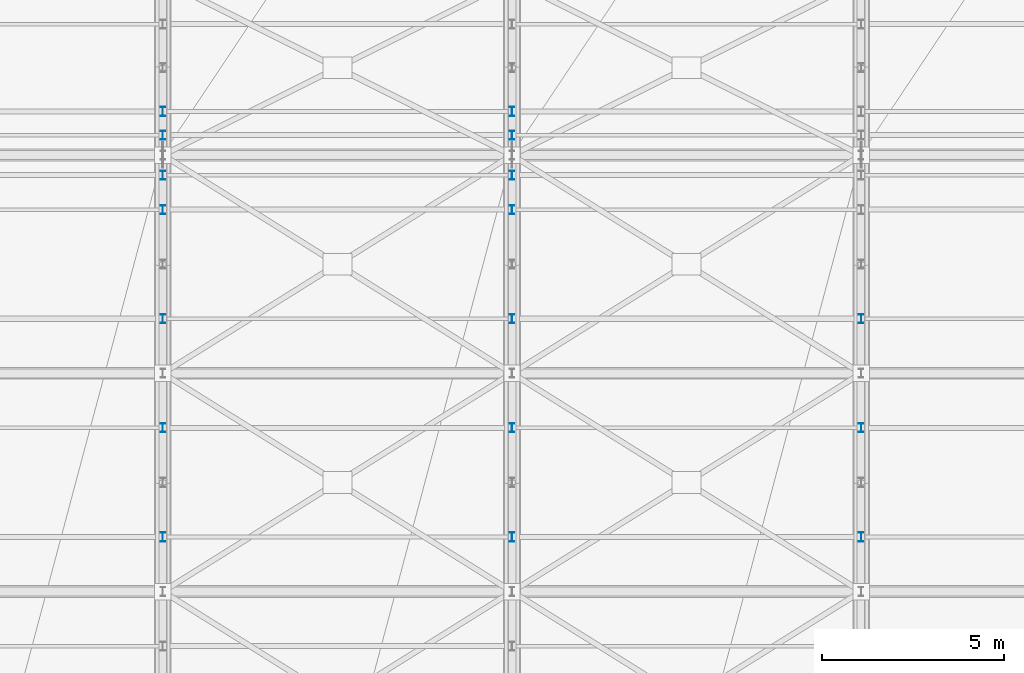
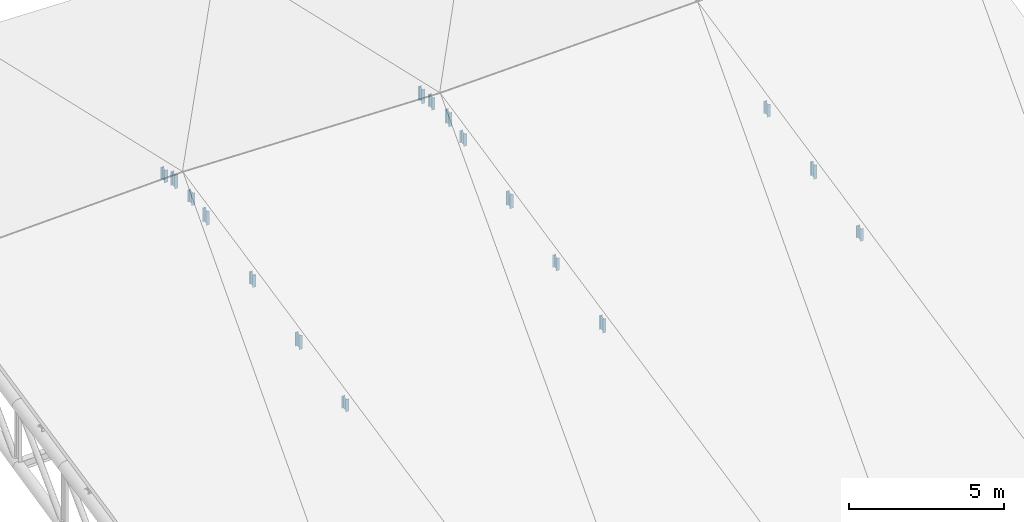
# One storey, part 89 of 109: 17 members.
"""IFC4 building model written with IfcOpenShell, lengths in metres."""

from ifc_helpers import new_model, si_unit, direction, frame, origin, origin_2d, place, context, subcontext, project, spatial, i_section, extrude, material, material_profile, profile_set, type_object, element, save


model = new_model("IFC4")

# Units and contexts
model_context = context("Model", 3, precision=1e-05, world=origin(), true_north=direction((0.0, 1.0)))
body_context = subcontext(model_context, "Body", "Model", "MODEL_VIEW")
ifc_project = project(units=[si_unit("LENGTHUNIT", "METRE"), si_unit("AREAUNIT", "SQUARE_METRE"), si_unit("VOLUMEUNIT", "CUBIC_METRE"), si_unit("PLANEANGLEUNIT", "RADIAN"), si_unit("MASSUNIT", "GRAM", prefix="KILO")], contexts=[model_context])

# Site, building, storey
site_placement = place(None, origin())
site = spatial("IfcSite", under=ifc_project, at=site_placement, CompositionType="ELEMENT")
building_placement = place(site_placement, origin())
building = spatial("IfcBuilding", under=site, at=building_placement, Name="Suirenkawa Promenade Aquatics Centre", CompositionType="ELEMENT")
storey_placement = place(building_placement, frame((0.0, 0.0, 22.800048828125)))
storey = spatial("IfcBuildingStorey", under=building, at=storey_placement, Name="ROOF", CompositionType="ELEMENT", Elevation=22.800048828125)

# Members
ifc_material = material(Name="Steel IS 2062 E350 (Grade 350)", Category="steel")
ifc_material_profile = material_profile(ifc_material, i_section(OverallWidth=0.125, OverallDepth=0.25, WebThickness=0.007080078125, FlangeThickness=0.012939453125, at=origin_2d()), Name="ISMB 250", Category="steel")
ifc_profile_set = profile_set([ifc_material_profile], Name="Steel IS 2062 E350 (Grade 350)")
member_type = type_object("IfcMemberType", Name="MT-WEB-CHS168", PredefinedType="BRACE", material=ifc_profile_set)
member_1_placement = place(storey_placement, frame((165.60009765625, 75.89990234375, -3.616943359375), z_axis=(0.0, 0.0, 1.0), x_axis=(1.0, 0.0, 0.0)))
element("IfcMember", 1, at=member_1_placement, inside=storey, type_object=member_type, Name="ROOF TRUSS Purlin cleat post TD-03 MB-2436", PredefinedType="BRACE", context=body_context, shape_type="SweptSolid", body=[
    extrude(i_section(OverallWidth=0.125, OverallDepth=0.25, WebThickness=0.007080078125, FlangeThickness=0.012939453125, at=origin_2d()), origin(), (0.0, 0.0, 1.0), 0.48681640625),
])
member_2_placement = place(storey_placement, frame((165.60009765625, 78.89990234375, -2.983154296875), z_axis=(0.0, 0.0, 1.0), x_axis=(1.0, 0.0, 0.0)))
element("IfcMember", 2, at=member_2_placement, inside=storey, type_object=member_type, Name="ROOF TRUSS Purlin cleat post TD-03 MB-2439", PredefinedType="BRACE", context=body_context, shape_type="SweptSolid", body=[
    extrude(i_section(OverallWidth=0.125, OverallDepth=0.25, WebThickness=0.007080078125, FlangeThickness=0.012939453125, at=origin_2d()), origin(), (0.0, 0.0, 1.0), 0.550048828125),
])
member_3_placement = place(storey_placement, frame((165.60009765625, 81.89990234375, -2.35009765625), z_axis=(0.0, 0.0, 1.0), x_axis=(1.0, 0.0, 0.0)))
element("IfcMember", 3, at=member_3_placement, inside=storey, type_object=member_type, Name="ROOF TRUSS Purlin cleat post TD-03 MB-2442", PredefinedType="BRACE", context=body_context, shape_type="SweptSolid", body=[
    extrude(i_section(OverallWidth=0.125, OverallDepth=0.25, WebThickness=0.007080078125, FlangeThickness=0.012939453125, at=origin_2d()), origin(), (0.0, 0.0, 1.0), 0.486083984375),
])
member_4_placement = place(storey_placement, frame((165.60009765625, 84.89990234375, -1.717041015625), z_axis=(0.0, 0.0, 1.0), x_axis=(1.0, 0.0, 0.0)))
element("IfcMember", 4, at=member_4_placement, inside=storey, type_object=member_type, Name="ROOF TRUSS Purlin cleat post TD-03 MB-2445", PredefinedType="BRACE", context=body_context, shape_type="SweptSolid", body=[
    extrude(i_section(OverallWidth=0.125, OverallDepth=0.25, WebThickness=0.007080078125, FlangeThickness=0.012939453125, at=origin_2d()), origin(), (0.0, 0.0, 1.0), 0.551025390625),
])
member_5_placement = place(storey_placement, frame((165.60009765625, 85.85009765625, -1.51611328125), z_axis=(0.0, 0.0, 1.0), x_axis=(1.0, 0.0, 0.0)))
element("IfcMember", 5, at=member_5_placement, inside=storey, type_object=member_type, Name="ROOF TRUSS Purlin cleat post TD-03 MB-2448", PredefinedType="BRACE", context=body_context, shape_type="SweptSolid", body=[
    extrude(i_section(OverallWidth=0.125, OverallDepth=0.25, WebThickness=0.007080078125, FlangeThickness=0.012939453125, at=origin_2d()), origin(), (0.0, 0.0, 1.0), 0.486083984375),
])
member_6_placement = place(storey_placement, frame((165.60009765625, 86.949951171875, -1.526123046875), z_axis=(0.0, 0.0, 1.0), x_axis=(1.0, 0.0, 0.0)))
element("IfcMember", 6, at=member_6_placement, inside=storey, type_object=member_type, Name="ROOF TRUSS Purlin cleat post TD-03 MB-2451", PredefinedType="BRACE", context=body_context, shape_type="SweptSolid", body=[
    extrude(i_section(OverallWidth=0.125, OverallDepth=0.25, WebThickness=0.007080078125, FlangeThickness=0.012939453125, at=origin_2d()), origin(), (0.0, 0.0, 1.0), 0.549072265625),
])
member_7_placement = place(storey_placement, frame((165.60009765625, 87.60009765625, -1.675048828125), z_axis=(0.0, 0.0, 1.0), x_axis=(1.0, 0.0, 0.0)))
element("IfcMember", 7, at=member_7_placement, inside=storey, type_object=member_type, Name="ROOF TRUSS Purlin cleat post TD-03 MB-2454", PredefinedType="BRACE", context=body_context, shape_type="SweptSolid", body=[
    extrude(i_section(OverallWidth=0.125, OverallDepth=0.25, WebThickness=0.007080078125, FlangeThickness=0.012939453125, at=origin_2d()), origin(), (0.0, 0.0, 1.0), 0.48388671875),
])
member_8_placement = place(storey_placement, frame((175.199951171875, 75.89990234375, -3.866943359375), z_axis=(0.0, 0.0, 1.0), x_axis=(1.0, 0.0, 0.0)))
element("IfcMember", 8, at=member_8_placement, inside=storey, type_object=member_type, Name="ROOF TRUSS Purlin cleat post TD-03 MB-2492", PredefinedType="BRACE", context=body_context, shape_type="SweptSolid", body=[
    extrude(i_section(OverallWidth=0.125, OverallDepth=0.25, WebThickness=0.007080078125, FlangeThickness=0.012939453125, at=origin_2d()), origin(), (0.0, 0.0, 1.0), 0.55078125),
])
member_9_placement = place(storey_placement, frame((175.199951171875, 78.89990234375, -3.233154296875), z_axis=(0.0, 0.0, 1.0), x_axis=(1.0, 0.0, 0.0)))
element("IfcMember", 9, at=member_9_placement, inside=storey, type_object=member_type, Name="ROOF TRUSS Purlin cleat post TD-03 MB-2494", PredefinedType="BRACE", context=body_context, shape_type="SweptSolid", body=[
    extrude(i_section(OverallWidth=0.125, OverallDepth=0.25, WebThickness=0.007080078125, FlangeThickness=0.012939453125, at=origin_2d()), origin(), (0.0, 0.0, 1.0), 0.486083984375),
])
member_10_placement = place(storey_placement, frame((175.199951171875, 81.89990234375, -2.60009765625), z_axis=(0.0, 0.0, 1.0), x_axis=(1.0, 0.0, 0.0)))
element("IfcMember", 10, at=member_10_placement, inside=storey, type_object=member_type, Name="ROOF TRUSS Purlin cleat post TD-03 MB-2496", PredefinedType="BRACE", context=body_context, shape_type="SweptSolid", body=[
    extrude(i_section(OverallWidth=0.125, OverallDepth=0.25, WebThickness=0.007080078125, FlangeThickness=0.012939453125, at=origin_2d()), origin(), (0.0, 0.0, 1.0), 0.551025390625),
])
member_11_placement = place(storey_placement, frame((175.199951171875, 84.89990234375, -1.967041015625), z_axis=(0.0, 0.0, 1.0), x_axis=(1.0, 0.0, 0.0)))
element("IfcMember", 11, at=member_11_placement, inside=storey, type_object=member_type, Name="ROOF TRUSS Purlin cleat post TD-03 MB-2498", PredefinedType="BRACE", context=body_context, shape_type="SweptSolid", body=[
    extrude(i_section(OverallWidth=0.125, OverallDepth=0.25, WebThickness=0.007080078125, FlangeThickness=0.012939453125, at=origin_2d()), origin(), (0.0, 0.0, 1.0), 0.487060546875),
])
member_12_placement = place(storey_placement, frame((175.199951171875, 85.85009765625, -1.76611328125), z_axis=(0.0, 0.0, 1.0), x_axis=(1.0, 0.0, 0.0)))
element("IfcMember", 12, at=member_12_placement, inside=storey, type_object=member_type, Name="ROOF TRUSS Purlin cleat post TD-03 MB-2500", PredefinedType="BRACE", context=body_context, shape_type="SweptSolid", body=[
    extrude(i_section(OverallWidth=0.125, OverallDepth=0.25, WebThickness=0.007080078125, FlangeThickness=0.012939453125, at=origin_2d()), origin(), (0.0, 0.0, 1.0), 0.550048828125),
])
member_13_placement = place(storey_placement, frame((175.199951171875, 86.949951171875, -1.776123046875), z_axis=(0.0, 0.0, 1.0), x_axis=(1.0, 0.0, 0.0)))
element("IfcMember", 13, at=member_13_placement, inside=storey, type_object=member_type, Name="ROOF TRUSS Purlin cleat post TD-03 MB-2502", PredefinedType="BRACE", context=body_context, shape_type="SweptSolid", body=[
    extrude(i_section(OverallWidth=0.125, OverallDepth=0.25, WebThickness=0.007080078125, FlangeThickness=0.012939453125, at=origin_2d()), origin(), (0.0, 0.0, 1.0), 0.484130859375),
])
member_14_placement = place(storey_placement, frame((175.199951171875, 87.60009765625, -1.925048828125), z_axis=(0.0, 0.0, 1.0), x_axis=(1.0, 0.0, 0.0)))
element("IfcMember", 14, at=member_14_placement, inside=storey, type_object=member_type, Name="ROOF TRUSS Purlin cleat post TD-03 MB-2504", PredefinedType="BRACE", context=body_context, shape_type="SweptSolid", body=[
    extrude(i_section(OverallWidth=0.125, OverallDepth=0.25, WebThickness=0.007080078125, FlangeThickness=0.012939453125, at=origin_2d()), origin(), (0.0, 0.0, 1.0), 0.549072265625),
])
member_15_placement = place(storey_placement, frame((184.800048828125, 75.89990234375, -3.616943359375), z_axis=(0.0, 0.0, 1.0), x_axis=(1.0, 0.0, 0.0)))
element("IfcMember", 15, at=member_15_placement, inside=storey, type_object=member_type, Name="ROOF TRUSS Purlin cleat post TD-03 MB-2536", PredefinedType="BRACE", context=body_context, shape_type="SweptSolid", body=[
    extrude(i_section(OverallWidth=0.125, OverallDepth=0.25, WebThickness=0.007080078125, FlangeThickness=0.012939453125, at=origin_2d()), origin(), (0.0, 0.0, 1.0), 0.48681640625),
])
member_16_placement = place(storey_placement, frame((184.800048828125, 78.89990234375, -2.983154296875), z_axis=(0.0, 0.0, 1.0), x_axis=(1.0, 0.0, 0.0)))
element("IfcMember", 16, at=member_16_placement, inside=storey, type_object=member_type, Name="ROOF TRUSS Purlin cleat post TD-03 MB-2538", PredefinedType="BRACE", context=body_context, shape_type="SweptSolid", body=[
    extrude(i_section(OverallWidth=0.125, OverallDepth=0.25, WebThickness=0.007080078125, FlangeThickness=0.012939453125, at=origin_2d()), origin(), (0.0, 0.0, 1.0), 0.550048828125),
])
member_17_placement = place(storey_placement, frame((184.800048828125, 81.89990234375, -2.35009765625), z_axis=(0.0, 0.0, 1.0), x_axis=(1.0, 0.0, 0.0)))
element("IfcMember", 17, at=member_17_placement, inside=storey, type_object=member_type, Name="ROOF TRUSS Purlin cleat post TD-03 MB-2540", PredefinedType="BRACE", context=body_context, shape_type="SweptSolid", body=[
    extrude(i_section(OverallWidth=0.125, OverallDepth=0.25, WebThickness=0.007080078125, FlangeThickness=0.012939453125, at=origin_2d()), origin(), (0.0, 0.0, 1.0), 0.486083984375),
])

save(model, "model.ifc")
